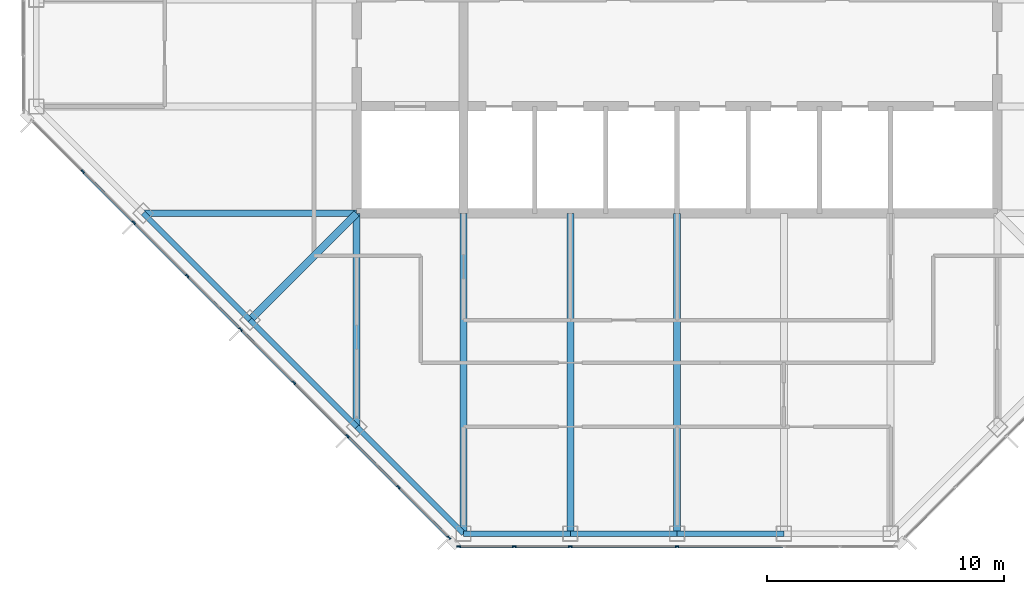
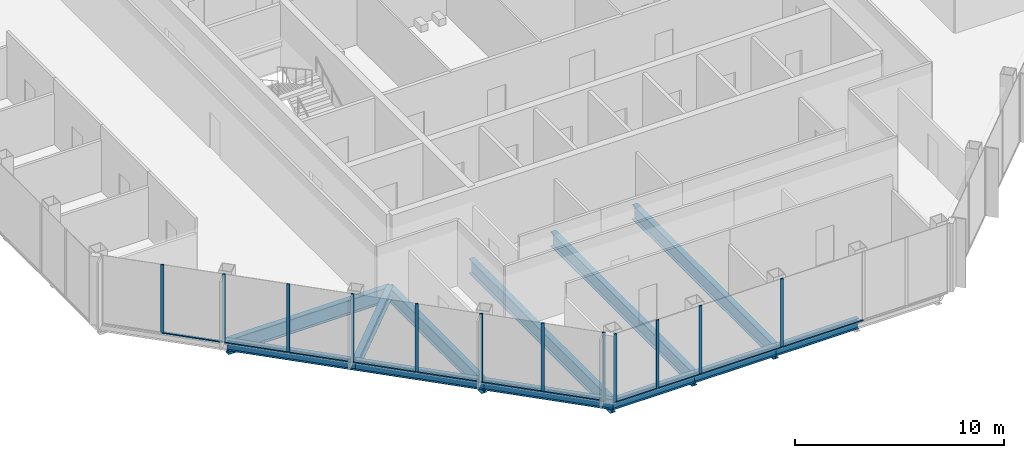
# One storey, part 2 of 14: 23 members, 12 beams, 2 elements without a shape of their own.
"""IFC4 building model written with IfcOpenShell, lengths in metres."""

from ifc_helpers import new_model, si_unit, direction, frame, origin, origin_2d, place, context, subcontext, project, spatial, rectangle, i_section, extrude, material, material_profile, profile_set, type_object, element, aggregate, save


model = new_model("IFC4")

# Units and contexts
model_context = context("Model", 3, precision=1e-05, world=origin(), true_north=direction((0.0, 1.0)))
body_context = subcontext(model_context, "Body", "Model", "MODEL_VIEW")
ifc_project = project(units=[si_unit("LENGTHUNIT", "METRE"), si_unit("AREAUNIT", "SQUARE_METRE"), si_unit("VOLUMEUNIT", "CUBIC_METRE"), si_unit("PLANEANGLEUNIT", "RADIAN"), si_unit("MASSUNIT", "GRAM", prefix="KILO")], contexts=[model_context])

# Site, building, storey
site_placement = place(None, origin())
site = spatial("IfcSite", under=ifc_project, at=site_placement, CompositionType="ELEMENT")
building_placement = place(site_placement, origin())
building = spatial("IfcBuilding", under=site, at=building_placement, Name="Corais Broadcast Tower", CompositionType="ELEMENT")
storey_placement = place(building_placement, frame((0.0, 0.0, 234.60009765625)))
storey = spatial("IfcBuildingStorey", under=building, at=storey_placement, Name="L54", CompositionType="ELEMENT", Elevation=234.60009765625)

# Beams
ifc_material_1 = material(Name="Steel ASTM A572 Grade 50", Category="steel")
ifc_material_profile_1 = material_profile(ifc_material_1, i_section(OverallWidth=0.323974609375, OverallDepth=0.611083984375, WebThickness=0.0126953125, FlangeThickness=0.01904296875, at=origin_2d()), Name="W610x155")
ifc_profile_set_1 = profile_set([ifc_material_profile_1], Name="Steel ASTM A572 Grade 50")
beam_type_1 = type_object("IfcBeamType", Name="Corner diagonal W610x155", PredefinedType="BEAM", material=ifc_profile_set_1)
beam_1_placement = place(storey_placement, frame((9.0, 9.0, -0.465576171875), z_axis=(0.707106781187, 0.707106781187, 0.0), x_axis=(-0.707106781187, 0.707106781187, 0.0)))
element("IfcBeam", 1, at=beam_1_placement, inside=storey, type_object=beam_type_1, Name="B6 C/5 to D/6", PredefinedType="BEAM", context=body_context, shape_type="SweptSolid", body=[
    extrude(i_section(OverallWidth=0.323974609375, OverallDepth=0.611083984375, WebThickness=0.0126953125, FlangeThickness=0.01904296875, at=origin_2d()), origin(), (0.0, 0.0, 1.0), 6.364013671875),
])
ifc_material_2 = material(Name="Steel ASTM A572 Grade 50", Category="steel")
ifc_material_profile_2 = material_profile(ifc_material_2, i_section(OverallWidth=0.2939453125, OverallDepth=0.85107421875, WebThickness=0.01611328125, FlangeThickness=0.02685546875, at=origin_2d()), Name="W840x226")
ifc_profile_set_2 = profile_set([ifc_material_profile_2], Name="Steel ASTM A572 Grade 50")
beam_type_2 = type_object("IfcBeamType", Name="Floor beam W840x226", PredefinedType="BEAM", material=ifc_profile_set_2)
beam_2_placement = place(storey_placement, frame((13.5, 4.5, -0.585693359375), z_axis=(0.0, 1.0, 0.0), x_axis=(-1.0, 0.0, 0.0)))
element("IfcBeam", 2, at=beam_2_placement, inside=storey, type_object=beam_type_2, Name="B1 B/6 to D/6", PredefinedType="BEAM", context=body_context, shape_type="SweptSolid", body=[
    extrude(i_section(OverallWidth=0.2939453125, OverallDepth=0.85107421875, WebThickness=0.01611328125, FlangeThickness=0.02685546875, at=origin_2d()), origin(), (0.0, 0.0, 1.0), 9.0),
])
for number, where, z_axis, x_axis, name in (
    (3, (18.0, 0.0, -0.585693359375), (0.0, 1.0, 0.0), (-1.0, 0.0, 0.0), "B1 A/7 to D/7"),
    (4, (22.5, 0.0, -0.585693359375), (0.0, 1.0, 0.0), (-1.0, 0.0, 0.0), "B1 A/8 to D/8"),
    (5, (27.0, 0.0, -0.585693359375), (0.0, 1.0, 0.0), (-1.0, 0.0, 0.0), "B1 A/9 to D/9"),
):
    element("IfcBeam", number, at=place(storey_placement, frame(where, z_axis=z_axis, x_axis=x_axis)), inside=storey, type_object=beam_type_2, Name=name, PredefinedType="BEAM", context=body_context, shape_type="SweptSolid", body=[
        extrude(i_section(OverallWidth=0.2939453125, OverallDepth=0.85107421875, WebThickness=0.01611328125, FlangeThickness=0.02685546875, at=origin_2d()), origin(), (0.0, 0.0, 1.0), 13.5),
    ])
beam_3_placement = place(storey_placement, frame((4.5, 13.5, -0.585693359375), z_axis=(1.0, 0.0, 0.0), x_axis=(0.0, 1.0, 0.0)))
element("IfcBeam", 6, at=beam_3_placement, inside=storey, type_object=beam_type_2, Name="B1 D/4 to D/6", PredefinedType="BEAM", context=body_context, shape_type="SweptSolid", body=[
    extrude(i_section(OverallWidth=0.2939453125, OverallDepth=0.85107421875, WebThickness=0.01611328125, FlangeThickness=0.02685546875, at=origin_2d()), origin(), (0.0, 0.0, 1.0), 9.0),
])

# Curtain wall, members
ifc_material_3 = material(Name="Aluminium and glass", Category="aluminium")
curtain_wall_type = type_object("IfcCurtainWallType", Name="Unitised fritted curtain wall CW3", PredefinedType="NOTDEFINED", material=ifc_material_3)
curtain_wall_1_placement = place(storey_placement, origin())
curtain_wall_1 = element("IfcCurtainWall", 7, at=curtain_wall_1_placement, inside=storey, type_object=curtain_wall_type, Name="CW3 curtain wall L54 1", PredefinedType="NOTDEFINED")
ifc_material_4 = material(Name="Aluminium 6063-T6", Category="aluminium")
ifc_material_profile_3 = material_profile(ifc_material_4, rectangle(XDim=0.06494140625, YDim=0.159912109375, at=origin_2d()), Name="Mullion CW3 65x160")
ifc_profile_set_3 = profile_set([ifc_material_profile_3], Name="Aluminium 6063-T6")
member_type_1 = type_object("IfcMemberType", Name="Mullion CW3 65x160", PredefinedType="MULLION", material=ifc_profile_set_3)
member_1_placement = place(storey_placement, frame((17.3955078125, -0.17333984375, 0.0), z_axis=(0.0, 0.0, 1.0), x_axis=(-0.707106781187, -0.707106781187, 0.0)))
member_1 = element("IfcMember", 8, at=member_1_placement, type_object=member_type_1, Name="CW3 mullion 1", PredefinedType="MULLION", context=body_context, shape_type="SweptSolid", body=[
    extrude(rectangle(XDim=0.06494140625, YDim=0.159912109375, at=origin_2d()), origin(), (0.0, 0.0, 1.0), 4.0),
])
member_2_placement = place(storey_placement, frame((15.264892578125, 1.957275390625, 0.0), z_axis=(0.0, 0.0, 1.0), x_axis=(-0.707106781187, -0.707106781187, 0.0)))
member_2 = element("IfcMember", 9, at=member_2_placement, type_object=member_type_1, Name="CW3 mullion 2", PredefinedType="MULLION", context=body_context, shape_type="SweptSolid", body=[
    extrude(rectangle(XDim=0.06494140625, YDim=0.159912109375, at=origin_2d()), origin(), (0.0, 0.0, 1.0), 4.0),
])
member_3_placement = place(storey_placement, frame((13.111083984375, 4.111083984375, 0.0), z_axis=(0.0, 0.0, 1.0), x_axis=(-0.707106781187, -0.707106781187, 0.0)))
member_3 = element("IfcMember", 10, at=member_3_placement, type_object=member_type_1, Name="CW3 mullion 3", PredefinedType="MULLION", context=body_context, shape_type="SweptSolid", body=[
    extrude(rectangle(XDim=0.06494140625, YDim=0.159912109375, at=origin_2d()), origin(), (0.0, 0.0, 1.0), 4.0),
])
member_4_placement = place(storey_placement, frame((10.861083984375, 6.361083984375, 0.0), z_axis=(0.0, 0.0, 1.0), x_axis=(-0.707106781187, -0.707106781187, 0.0)))
member_4 = element("IfcMember", 11, at=member_4_placement, type_object=member_type_1, Name="CW3 mullion 4", PredefinedType="MULLION", context=body_context, shape_type="SweptSolid", body=[
    extrude(rectangle(XDim=0.06494140625, YDim=0.159912109375, at=origin_2d()), origin(), (0.0, 0.0, 1.0), 4.0),
])
member_5_placement = place(storey_placement, frame((8.611083984375, 8.611083984375, 0.0), z_axis=(0.0, 0.0, 1.0), x_axis=(-0.707106781187, -0.707106781187, 0.0)))
member_5 = element("IfcMember", 12, at=member_5_placement, type_object=member_type_1, Name="CW3 mullion 5", PredefinedType="MULLION", context=body_context, shape_type="SweptSolid", body=[
    extrude(rectangle(XDim=0.06494140625, YDim=0.159912109375, at=origin_2d()), origin(), (0.0, 0.0, 1.0), 4.0),
])
member_6_placement = place(storey_placement, frame((6.361083984375, 10.861083984375, 0.0), z_axis=(0.0, 0.0, 1.0), x_axis=(-0.707106781187, -0.707106781187, 0.0)))
member_6 = element("IfcMember", 13, at=member_6_placement, type_object=member_type_1, Name="CW3 mullion 6", PredefinedType="MULLION", context=body_context, shape_type="SweptSolid", body=[
    extrude(rectangle(XDim=0.06494140625, YDim=0.159912109375, at=origin_2d()), origin(), (0.0, 0.0, 1.0), 4.0),
])
member_7_placement = place(storey_placement, frame((4.111083984375, 13.111083984375, 0.0), z_axis=(0.0, 0.0, 1.0), x_axis=(-0.707106781187, -0.707106781187, 0.0)))
member_7 = element("IfcMember", 14, at=member_7_placement, type_object=member_type_1, Name="CW3 mullion 7", PredefinedType="MULLION", context=body_context, shape_type="SweptSolid", body=[
    extrude(rectangle(XDim=0.06494140625, YDim=0.159912109375, at=origin_2d()), origin(), (0.0, 0.0, 1.0), 4.0),
])
member_8_placement = place(storey_placement, frame((1.957275390625, 15.264892578125, 0.0), z_axis=(0.0, 0.0, 1.0), x_axis=(-0.707106781187, -0.707106781187, 0.0)))
member_8 = element("IfcMember", 15, at=member_8_placement, type_object=member_type_1, Name="CW3 mullion 8", PredefinedType="MULLION", context=body_context, shape_type="SweptSolid", body=[
    extrude(rectangle(XDim=0.06494140625, YDim=0.159912109375, at=origin_2d()), origin(), (0.0, 0.0, 1.0), 4.0),
])

curtain_wall_2_placement = place(storey_placement, origin())
curtain_wall_2 = element("IfcCurtainWall", 16, at=curtain_wall_2_placement, inside=storey, type_object=curtain_wall_type, Name="CW3 curtain wall L54 8", PredefinedType="NOTDEFINED")
member_9_placement = place(storey_placement, frame((27.0, -0.550048828125, 0.0), z_axis=(0.0, 0.0, 1.0), x_axis=(0.0, -1.0, 0.0)))
member_9 = element("IfcMember", 17, at=member_9_placement, type_object=member_type_1, Name="CW3 mullion 4", PredefinedType="MULLION", context=body_context, shape_type="SweptSolid", body=[
    extrude(rectangle(XDim=0.06494140625, YDim=0.159912109375, at=origin_2d()), origin(), (0.0, 0.0, 1.0), 4.0),
])
member_10_placement = place(storey_placement, frame((22.5, -0.550048828125, 0.0), z_axis=(0.0, 0.0, 1.0), x_axis=(0.0, -1.0, 0.0)))
member_10 = element("IfcMember", 18, at=member_10_placement, type_object=member_type_1, Name="CW3 mullion 5", PredefinedType="MULLION", context=body_context, shape_type="SweptSolid", body=[
    extrude(rectangle(XDim=0.06494140625, YDim=0.159912109375, at=origin_2d()), origin(), (0.0, 0.0, 1.0), 4.0),
])
member_11_placement = place(storey_placement, frame((20.135986328125, -0.550048828125, 0.0), z_axis=(0.0, 0.0, 1.0), x_axis=(0.0, -1.0, 0.0)))
member_11 = element("IfcMember", 19, at=member_11_placement, type_object=member_type_1, Name="CW3 mullion 6", PredefinedType="MULLION", context=body_context, shape_type="SweptSolid", body=[
    extrude(rectangle(XDim=0.06494140625, YDim=0.159912109375, at=origin_2d()), origin(), (0.0, 0.0, 1.0), 4.0),
])
member_12_placement = place(storey_placement, frame((17.8046875, -0.550048828125, 0.0), z_axis=(0.0, 0.0, 1.0), x_axis=(0.0, -1.0, 0.0)))
member_12 = element("IfcMember", 20, at=member_12_placement, type_object=member_type_1, Name="CW3 mullion 7", PredefinedType="MULLION", context=body_context, shape_type="SweptSolid", body=[
    extrude(rectangle(XDim=0.06494140625, YDim=0.159912109375, at=origin_2d()), origin(), (0.0, 0.0, 1.0), 4.0),
])

# Beams
ifc_material_5 = material(Name="Steel ASTM A572 Grade 50", Category="steel")
ifc_material_profile_4 = material_profile(ifc_material_5, i_section(OverallWidth=0.22998046875, OverallDepth=0.616943359375, WebThickness=0.01318359375, FlangeThickness=0.022216796875, at=origin_2d()), Name="W610x140")
ifc_profile_set_4 = profile_set([ifc_material_profile_4], Name="Steel ASTM A572 Grade 50")
beam_type_3 = type_object("IfcBeamType", Name="Spandrel W610x140", PredefinedType="BEAM", material=ifc_profile_set_4)
beam_4_placement = place(storey_placement, frame((13.5, 4.5, -0.468505859375), z_axis=(0.707106781187, -0.707106781187, 0.0), x_axis=(0.707106781187, 0.707106781187, 0.0)))
element("IfcBeam", 21, at=beam_4_placement, inside=storey, type_object=beam_type_3, Name="SB3 B/6 to A/7", PredefinedType="BEAM", context=body_context, shape_type="SweptSolid", body=[
    extrude(i_section(OverallWidth=0.22998046875, OverallDepth=0.616943359375, WebThickness=0.01318359375, FlangeThickness=0.022216796875, at=origin_2d()), origin(), (0.0, 0.0, 1.0), 6.364013671875),
])
for number, where, z_axis, x_axis, name in (
    (22, (18.0, 0.0, -0.468505859375), (1.0, 0.0, 0.0), (0.0, 1.0, 0.0), "SB3 A/7 to A/8"),
    (23, (22.5, 0.0, -0.468505859375), (1.0, 0.0, 0.0), (0.0, 1.0, 0.0), "SB3 A/8 to A/9"),
    (24, (27.0, 0.0, -0.468505859375), (1.0, 0.0, 0.0), (0.0, 1.0, 0.0), "SB3 A/9 to A/10"),
):
    element("IfcBeam", number, at=place(storey_placement, frame(where, z_axis=z_axis, x_axis=x_axis)), inside=storey, type_object=beam_type_3, Name=name, PredefinedType="BEAM", context=body_context, shape_type="SweptSolid", body=[
        extrude(i_section(OverallWidth=0.22998046875, OverallDepth=0.616943359375, WebThickness=0.01318359375, FlangeThickness=0.022216796875, at=origin_2d()), origin(), (0.0, 0.0, 1.0), 4.5),
    ])
for number, where, z_axis, x_axis, name in (
    (25, (4.5, 13.5, -0.468505859375), (0.707106781187, -0.707106781187, 0.0), (0.707106781187, 0.707106781187, 0.0), "SB3 D/4 to C/5"),
    (26, (9.0, 9.0, -0.468505859375), (0.707106781187, -0.707106781187, 0.0), (0.707106781187, 0.707106781187, 0.0), "SB3 C/5 to B/6"),
):
    element("IfcBeam", number, at=place(storey_placement, frame(where, z_axis=z_axis, x_axis=x_axis)), inside=storey, type_object=beam_type_3, Name=name, PredefinedType="BEAM", context=body_context, shape_type="SweptSolid", body=[
        extrude(i_section(OverallWidth=0.22998046875, OverallDepth=0.616943359375, WebThickness=0.01318359375, FlangeThickness=0.022216796875, at=origin_2d()), origin(), (0.0, 0.0, 1.0), 6.364013671875),
    ])

# Member
ifc_material_6 = material(Name="Aluminium 6063-T6", Category="aluminium")
ifc_material_profile_5 = material_profile(ifc_material_6, rectangle(XDim=0.1201171875, YDim=0.06494140625, at=origin_2d()), Name="Transom CW3 65x120")
ifc_profile_set_5 = profile_set([ifc_material_profile_5], Name="Aluminium 6063-T6")
member_type_2 = type_object("IfcMemberType", Name="Transom CW3 65x120", PredefinedType="USERDEFINED", material=ifc_profile_set_5)
member_13_placement = place(storey_placement, frame((17.37255859375, -0.150390625, 0.032470703125), z_axis=(-0.707106781187, 0.707106781187, 0.0), x_axis=(-0.707106781187, -0.707106781187, 0.0)))
member_13 = element("IfcMember", 27, at=member_13_placement, type_object=member_type_2, Name="CW3 transom 1.1", ObjectType="TRANSOM", PredefinedType="USERDEFINED", context=body_context, shape_type="SweptSolid", body=[
    extrude(rectangle(XDim=0.1201171875, YDim=0.06494140625, at=origin_2d()), origin(), (0.0, 0.0, 1.0), 2.9482421875),
])

member_14_placement = place(storey_placement, frame((15.241943359375, 1.980224609375, 0.032470703125), z_axis=(-0.707106781187, 0.707106781187, 0.0), x_axis=(-0.707106781187, -0.707106781187, 0.0)))
member_14 = element("IfcMember", 28, at=member_14_placement, type_object=member_type_2, Name="CW3 transom 2.1", ObjectType="TRANSOM", PredefinedType="USERDEFINED", context=body_context, shape_type="SweptSolid", body=[
    extrude(rectangle(XDim=0.1201171875, YDim=0.06494140625, at=origin_2d()), origin(), (0.0, 0.0, 1.0), 2.98095703125),
])

member_15_placement = place(storey_placement, frame((13.088134765625, 4.134033203125, 0.032470703125), z_axis=(-0.707106781187, 0.707106781187, 0.0), x_axis=(-0.707106781187, -0.707106781187, 0.0)))
member_15 = element("IfcMember", 29, at=member_15_placement, type_object=member_type_2, Name="CW3 transom 3.1", ObjectType="TRANSOM", PredefinedType="USERDEFINED", context=body_context, shape_type="SweptSolid", body=[
    extrude(rectangle(XDim=0.1201171875, YDim=0.06494140625, at=origin_2d()), origin(), (0.0, 0.0, 1.0), 3.1171875),
])

member_16_placement = place(storey_placement, frame((10.838134765625, 6.384033203125, 0.032470703125), z_axis=(-0.707106781187, 0.707106781187, 0.0), x_axis=(-0.707106781187, -0.707106781187, 0.0)))
member_16 = element("IfcMember", 30, at=member_16_placement, type_object=member_type_2, Name="CW3 transom 4.1", ObjectType="TRANSOM", PredefinedType="USERDEFINED", context=body_context, shape_type="SweptSolid", body=[
    extrude(rectangle(XDim=0.1201171875, YDim=0.06494140625, at=origin_2d()), origin(), (0.0, 0.0, 1.0), 3.1171875),
])

member_17_placement = place(storey_placement, frame((8.588134765625, 8.634033203125, 0.032470703125), z_axis=(-0.707106781187, 0.707106781187, 0.0), x_axis=(-0.707106781187, -0.707106781187, 0.0)))
member_17 = element("IfcMember", 31, at=member_17_placement, type_object=member_type_2, Name="CW3 transom 5.1", ObjectType="TRANSOM", PredefinedType="USERDEFINED", context=body_context, shape_type="SweptSolid", body=[
    extrude(rectangle(XDim=0.1201171875, YDim=0.06494140625, at=origin_2d()), origin(), (0.0, 0.0, 1.0), 3.1171875),
])

member_18_placement = place(storey_placement, frame((6.338134765625, 10.884033203125, 0.032470703125), z_axis=(-0.707106781187, 0.707106781187, 0.0), x_axis=(-0.707106781187, -0.707106781187, 0.0)))
member_18 = element("IfcMember", 32, at=member_18_placement, type_object=member_type_2, Name="CW3 transom 6.1", ObjectType="TRANSOM", PredefinedType="USERDEFINED", context=body_context, shape_type="SweptSolid", body=[
    extrude(rectangle(XDim=0.1201171875, YDim=0.06494140625, at=origin_2d()), origin(), (0.0, 0.0, 1.0), 3.1171875),
])

member_19_placement = place(storey_placement, frame((4.088134765625, 13.134033203125, 0.032470703125), z_axis=(-0.707065828661, 0.70714773134, 0.0), x_axis=(-0.70714773134, -0.707065828661, 0.0)))
member_19 = element("IfcMember", 33, at=member_19_placement, type_object=member_type_2, Name="CW3 transom 7.1", ObjectType="TRANSOM", PredefinedType="USERDEFINED", context=body_context, shape_type="SweptSolid", body=[
    extrude(rectangle(XDim=0.1201171875, YDim=0.06494140625, at=origin_2d()), origin(), (0.0, 0.0, 1.0), 2.98095703125),
])

aggregate(curtain_wall_1, [member_1, member_2, member_3, member_4, member_5, member_6, member_7, member_8, member_13, member_14, member_15, member_16, member_17, member_18, member_19])

member_20_placement = place(storey_placement, frame((31.467529296875, -0.550048828125, 0.032470703125), z_axis=(-1.0, 0.0, 0.0), x_axis=(0.0, -1.0, 0.0)))
member_20 = element("IfcMember", 34, at=member_20_placement, type_object=member_type_2, Name="CW3 transom 3.1", ObjectType="TRANSOM", PredefinedType="USERDEFINED", context=body_context, shape_type="SweptSolid", body=[
    extrude(rectangle(XDim=0.1201171875, YDim=0.06494140625, at=origin_2d()), origin(), (0.0, 0.0, 1.0), 4.43505859375),
])

member_21_placement = place(storey_placement, frame((26.967529296875, -0.550048828125, 0.032470703125), z_axis=(-1.0, 0.0, 0.0), x_axis=(0.0, -1.0, 0.0)))
member_21 = element("IfcMember", 35, at=member_21_placement, type_object=member_type_2, Name="CW3 transom 4.1", ObjectType="TRANSOM", PredefinedType="USERDEFINED", context=body_context, shape_type="SweptSolid", body=[
    extrude(rectangle(XDim=0.1201171875, YDim=0.06494140625, at=origin_2d()), origin(), (0.0, 0.0, 1.0), 4.43505859375),
])

member_22_placement = place(storey_placement, frame((22.467529296875, -0.550048828125, 0.032470703125), z_axis=(-1.0, 0.0, 0.0), x_axis=(0.0, -1.0, 0.0)))
member_22 = element("IfcMember", 36, at=member_22_placement, type_object=member_type_2, Name="CW3 transom 5.1", ObjectType="TRANSOM", PredefinedType="USERDEFINED", context=body_context, shape_type="SweptSolid", body=[
    extrude(rectangle(XDim=0.1201171875, YDim=0.06494140625, at=origin_2d()), origin(), (0.0, 0.0, 1.0), 2.298828125),
])

member_23_placement = place(storey_placement, frame((20.103515625, -0.550048828125, 0.032470703125), z_axis=(-1.0, 0.0, 0.0), x_axis=(0.0, -1.0, 0.0)))
member_23 = element("IfcMember", 37, at=member_23_placement, type_object=member_type_2, Name="CW3 transom 6.1", ObjectType="TRANSOM", PredefinedType="USERDEFINED", context=body_context, shape_type="SweptSolid", body=[
    extrude(rectangle(XDim=0.1201171875, YDim=0.06494140625, at=origin_2d()), origin(), (0.0, 0.0, 1.0), 2.266357421875),
])

aggregate(curtain_wall_2, [member_9, member_10, member_11, member_12, member_20, member_21, member_22, member_23])

save(model, "model.ifc")
